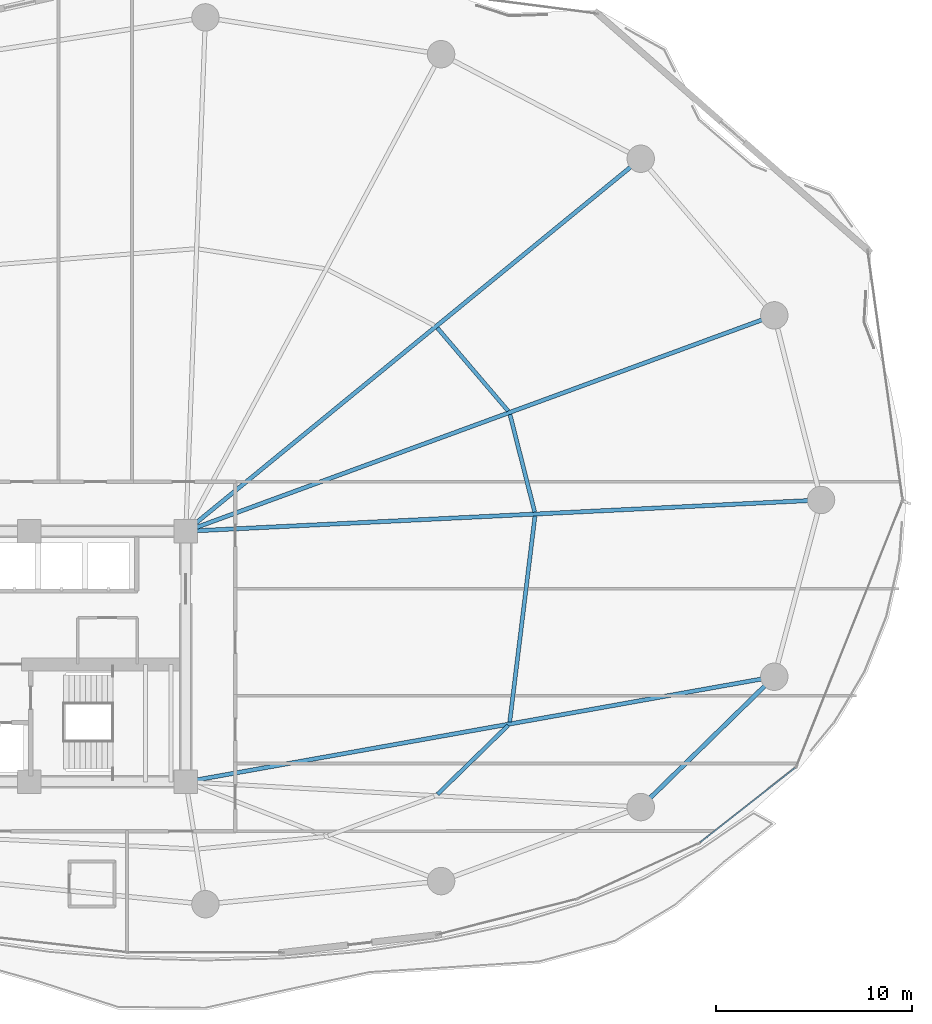
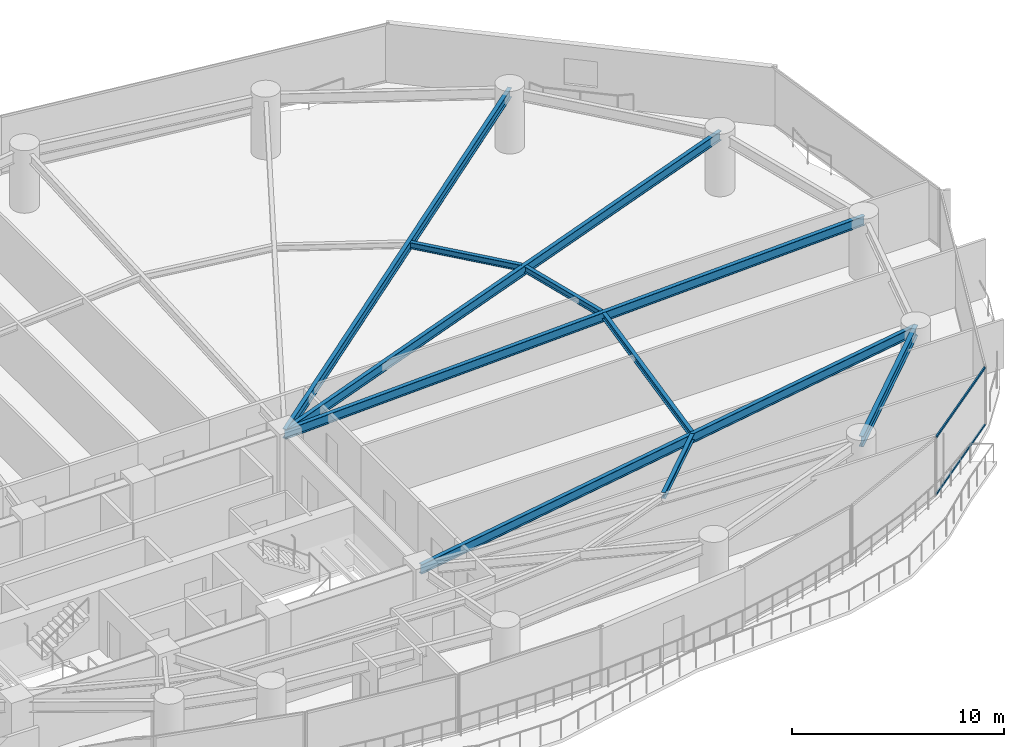
# One storey, part 14 of 31: 9 beams, 2 members, 1 element without a shape of its own.
"""IFC4 building model written with IfcOpenShell, lengths in metres."""

from ifc_helpers import new_model, si_unit, direction, frame, origin, origin_2d, place, context, subcontext, project, spatial, hollow_rectangle, i_section, extrude, material, layer, layer_set, material_profile, profile_set, type_object, element, aggregate, save


model = new_model("IFC4")

# Units and contexts
model_context = context("Model", 3, precision=1e-05, world=origin(), true_north=direction((0.0, 1.0)))
body_context = subcontext(model_context, "Body", "Model", "MODEL_VIEW")
ifc_project = project(units=[si_unit("LENGTHUNIT", "METRE"), si_unit("AREAUNIT", "SQUARE_METRE"), si_unit("VOLUMEUNIT", "CUBIC_METRE"), si_unit("PLANEANGLEUNIT", "RADIAN"), si_unit("MASSUNIT", "GRAM", prefix="KILO")], contexts=[model_context])

# Site, building, storey
site_placement = place(None, origin())
site = spatial("IfcSite", under=ifc_project, at=site_placement, CompositionType="ELEMENT")
building_placement = place(site_placement, origin())
building = spatial("IfcBuilding", under=site, at=building_placement, Name="Kazevale Care Tower and Concert Hall", CompositionType="ELEMENT")
storey_placement = place(building_placement, frame((0.0, 0.0, 56.39990234375)))
storey = spatial("IfcBuildingStorey", under=building, at=storey_placement, Name="L14", CompositionType="ELEMENT", Elevation=56.39990234375)

# Curtain wall, members
ifc_material_1 = material(Name="Aluminium 6063-T6 and Low-E Glass", Category="aluminium")
ifc_layer = layer(ifc_material_1, 0.179931640625)
ifc_layer_set = layer_set([ifc_layer], Name="Aluminium 6063-T6 and Low-E Glass")
curtain_wall_type = type_object("IfcCurtainWallType", Name="Sheltered Concave Balcony Curtain Wall CW-5", PredefinedType="NOTDEFINED", material=ifc_layer_set)
curtain_wall_placement = place(storey_placement, origin())
curtain_wall = element("IfcCurtainWall", 1, at=curtain_wall_placement, inside=storey, type_object=curtain_wall_type, Name="cw:L14:f02", PredefinedType="NOTDEFINED")
ifc_material_2 = material(Name="Aluminium 6063-T6", Category="aluminium")
ifc_material_profile_1 = material_profile(ifc_material_2, hollow_rectangle(XDim=0.074951171875, YDim=0.1201171875, WallThickness=0.00390625, at=origin_2d()), Name="ALU75x120x4")
ifc_profile_set_1 = profile_set([ifc_material_profile_1], Name="Aluminium 6063-T6")
member_type = type_object("IfcMemberType", Name="CW-5 Transom ALU75x120x4", PredefinedType="USERDEFINED", material=ifc_profile_set_1)
member_1_placement = place(storey_placement, frame((75.123046875, 24.317626953125, 0.03759765625), z_axis=(-0.78633897536, -0.617795286344, 0.0), x_axis=(0.617795286344, -0.78633897536, 0.0)))
member_1 = element("IfcMember", 2, at=member_1_placement, type_object=member_type, Name="CW-5 transom 1.1", ObjectType="TRANSOM", PredefinedType="USERDEFINED", context=body_context, shape_type="SweptSolid", body=[
    extrude(hollow_rectangle(XDim=0.074951171875, YDim=0.1201171875, WallThickness=0.00390625, at=origin_2d()), origin(), (0.0, 0.0, 1.0), 6.15771484375),
])
member_2_placement = place(storey_placement, frame((75.123046875, 24.317626953125, 3.322509765625), z_axis=(-0.78633897536, -0.617795286344, 0.0), x_axis=(0.617795286344, -0.78633897536, 0.0)))
member_2 = element("IfcMember", 3, at=member_2_placement, type_object=member_type, Name="CW-5 transom 1.2", ObjectType="TRANSOM", PredefinedType="USERDEFINED", context=body_context, shape_type="SweptSolid", body=[
    extrude(hollow_rectangle(XDim=0.074951171875, YDim=0.1201171875, WallThickness=0.00390625, at=origin_2d()), origin(), (0.0, 0.0, 1.0), 6.15771484375),
])
aggregate(curtain_wall, [member_1, member_2])

# Beams
ifc_material_3 = material(Name="Steel ASTM A572 Gr 50", Category="steel")
ifc_material_profile_2 = material_profile(ifc_material_3, i_section(OverallWidth=0.2119140625, OverallDepth=0.5439453125, WebThickness=0.01318359375, FlangeThickness=0.021240234375, at=origin_2d()), Name="W530x123")
ifc_profile_set_2 = profile_set([ifc_material_profile_2], Name="Steel ASTM A572 Gr 50")
beam_type_1 = type_object("IfcBeamType", Name="Radial Floor Girder W530x123", PredefinedType="BEAM", material=ifc_profile_set_2)
beam_1_placement = place(storey_placement, frame((44.0, 36.39990234375, 3.088134765625), z_axis=(0.998786488782, 0.049249871327, 0.0), x_axis=(-0.049249871327, 0.998786488782, 0.0)))
element("IfcBeam", 4, at=beam_1_placement, inside=storey, type_object=beam_type_1, Name="beam:L14:rad:01", PredefinedType="BEAM", context=body_context, shape_type="SweptSolid", body=[
    extrude(i_section(OverallWidth=0.2119140625, OverallDepth=0.5439453125, WebThickness=0.01318359375, FlangeThickness=0.021240234375, at=origin_2d()), origin(), (0.0, 0.0, 1.0), 32.4892578125),
])
beam_2_placement = place(storey_placement, frame((44.0, 36.39990234375, 3.088134765625), z_axis=(0.938795458019, 0.34447509054, 0.0), x_axis=(-0.34447509054, 0.938795458019, 0.0)))
element("IfcBeam", 5, at=beam_2_placement, inside=storey, type_object=beam_type_1, Name="beam:L14:rad:02", PredefinedType="BEAM", context=body_context, shape_type="SweptSolid", body=[
    extrude(i_section(OverallWidth=0.2119140625, OverallDepth=0.5439453125, WebThickness=0.01318359375, FlangeThickness=0.021240234375, at=origin_2d()), origin(), (0.0, 0.0, 1.0), 32.019775390625),
])
beam_3_placement = place(storey_placement, frame((44.0, 36.39990234375, 3.088134765625), z_axis=(0.773704467398, 0.633546681097, 0.0), x_axis=(-0.633546681097, 0.773704467398, 0.0)))
element("IfcBeam", 6, at=beam_3_placement, inside=storey, type_object=beam_type_1, Name="beam:L14:rad:03", PredefinedType="BEAM", context=body_context, shape_type="SweptSolid", body=[
    extrude(i_section(OverallWidth=0.2119140625, OverallDepth=0.5439453125, WebThickness=0.01318359375, FlangeThickness=0.021240234375, at=origin_2d()), origin(), (0.0, 0.0, 1.0), 30.037353515625),
])
beam_4_placement = place(storey_placement, frame((44.0, 23.60009765625, 3.088134765625), z_axis=(0.984416208219, 0.175854283415, 0.0), x_axis=(-0.175854283415, 0.984416208219, 0.0)))
element("IfcBeam", 7, at=beam_4_placement, inside=storey, type_object=beam_type_1, Name="beam:L14:rad:16", PredefinedType="BEAM", context=body_context, shape_type="SweptSolid", body=[
    extrude(i_section(OverallWidth=0.2119140625, OverallDepth=0.5439453125, WebThickness=0.01318359375, FlangeThickness=0.021240234375, at=origin_2d()), origin(), (0.0, 0.0, 1.0), 30.535888671875),
])
ifc_material_profile_3 = material_profile(ifc_material_3, i_section(OverallWidth=0.22900390625, OverallDepth=0.612060546875, WebThickness=0.011962890625, FlangeThickness=0.01953125, at=origin_2d()), Name="W610x125")
ifc_profile_set_3 = profile_set([ifc_material_profile_3], Name="Steel ASTM A572 Gr 50")
beam_type_2 = type_object("IfcBeamType", Name="Ring Spandrel Beam W610x125", PredefinedType="SPANDREL", material=ifc_profile_set_3)
beam_5_placement = place(storey_placement, frame((67.239990234375, 22.31005859375, 3.05419921875), z_axis=(0.715457453508, 0.698656304788, 0.0), x_axis=(-0.698656304788, 0.715457453508, 0.0)))
element("IfcBeam", 8, at=beam_5_placement, inside=storey, type_object=beam_type_2, Name="beam:L14:ring:15", PredefinedType="SPANDREL", context=body_context, shape_type="SweptSolid", body=[
    extrude(i_section(OverallWidth=0.22900390625, OverallDepth=0.612060546875, WebThickness=0.011962890625, FlangeThickness=0.01953125, at=origin_2d()), origin(), (0.0, 0.0, 1.0), 9.532470703125),
])
ifc_material_profile_4 = material_profile(ifc_material_3, i_section(OverallWidth=0.205078125, OverallDepth=0.35400390625, WebThickness=0.009521484375, FlangeThickness=0.016845703125, at=origin_2d()), Name="W360x79")
ifc_profile_set_4 = profile_set([ifc_material_profile_4], Name="Steel ASTM A572 Gr 50")
beam_type_3 = type_object("IfcBeamType", Name="Secondary Floor Joist W360x79", PredefinedType="JOIST", material=ifc_profile_set_4)
beam_6_placement = place(storey_placement, frame((61.822021484375, 37.382080078125, 3.18310546875), z_axis=(-0.24568570229, 0.969349542575, 0.0), x_axis=(-0.969349542575, -0.24568570229, 0.0)))
element("IfcBeam", 9, at=beam_6_placement, inside=storey, type_object=beam_type_3, Name="beam:L14:joist:01", PredefinedType="JOIST", context=body_context, shape_type="SweptSolid", body=[
    extrude(i_section(OverallWidth=0.205078125, OverallDepth=0.35400390625, WebThickness=0.009521484375, FlangeThickness=0.016845703125, at=origin_2d()), origin(), (0.0, 0.0, 1.0), 5.140380859375),
])
beam_7_placement = place(storey_placement, frame((60.465087890625, 42.5458984375, 3.18310546875), z_axis=(-0.648685510477, 0.761056573783, 0.0), x_axis=(-0.761056573783, -0.648685510477, 0.0)))
element("IfcBeam", 10, at=beam_7_placement, inside=storey, type_object=beam_type_3, Name="beam:L14:joist:02", PredefinedType="JOIST", context=body_context, shape_type="SweptSolid", body=[
    extrude(i_section(OverallWidth=0.205078125, OverallDepth=0.35400390625, WebThickness=0.009521484375, FlangeThickness=0.016845703125, at=origin_2d()), origin(), (0.0, 0.0, 1.0), 5.57275390625),
])
beam_8_placement = place(storey_placement, frame((56.85693359375, 22.964111328125, 3.18310546875), z_axis=(0.715521089339, 0.698591132717, 0.0), x_axis=(-0.698591132717, 0.715521089339, 0.0)))
element("IfcBeam", 11, at=beam_8_placement, inside=storey, type_object=beam_type_3, Name="beam:L14:joist:15", PredefinedType="JOIST", context=body_context, shape_type="SweptSolid", body=[
    extrude(i_section(OverallWidth=0.205078125, OverallDepth=0.35400390625, WebThickness=0.009521484375, FlangeThickness=0.016845703125, at=origin_2d()), origin(), (0.0, 0.0, 1.0), 5.03271484375),
])
beam_9_placement = place(storey_placement, frame((60.5458984375, 26.657958984375, 3.18310546875), z_axis=(0.1216468088, 0.992573450133, 0.0), x_axis=(-0.992573450133, 0.1216468088, 0.0)))
element("IfcBeam", 12, at=beam_9_placement, inside=storey, type_object=beam_type_3, Name="beam:L14:joist:16", PredefinedType="JOIST", context=body_context, shape_type="SweptSolid", body=[
    extrude(i_section(OverallWidth=0.205078125, OverallDepth=0.35400390625, WebThickness=0.009521484375, FlangeThickness=0.016845703125, at=origin_2d()), origin(), (0.0, 0.0, 1.0), 10.5966796875),
])

save(model, "model.ifc")
